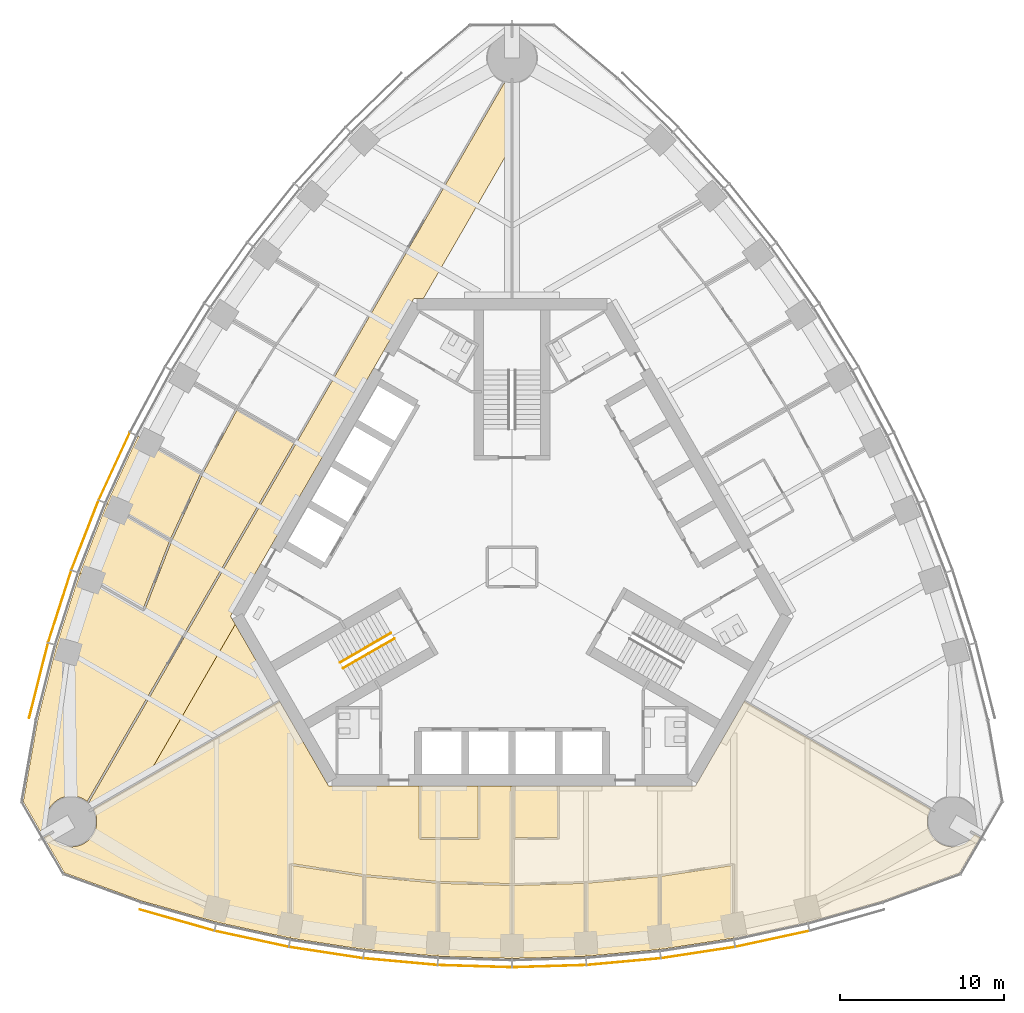
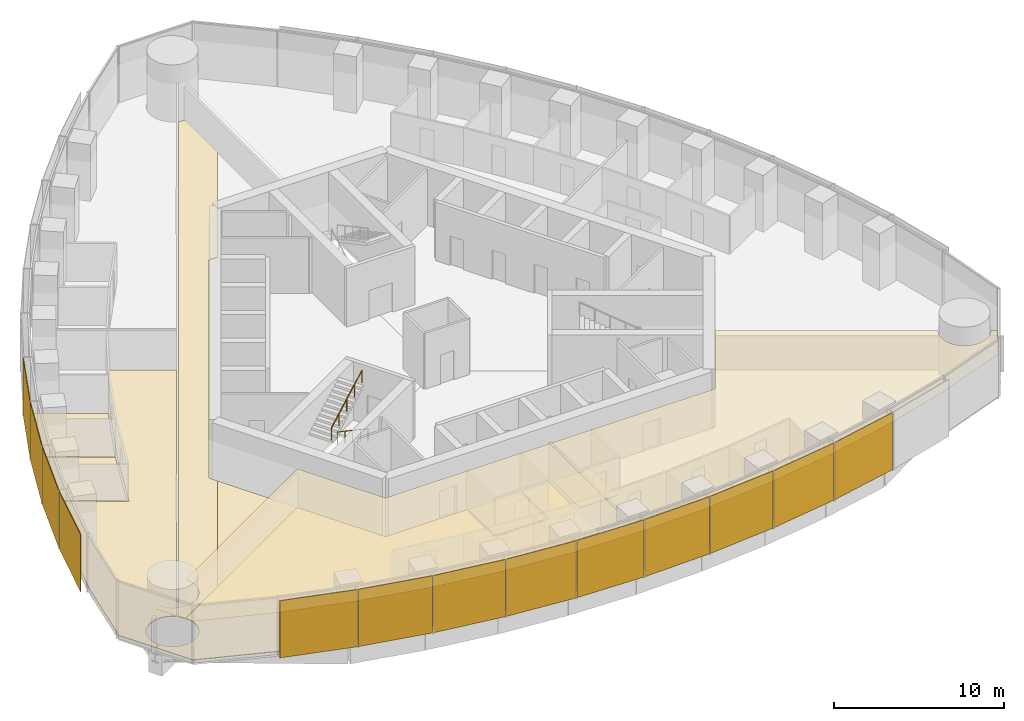
# One storey, part 12 of 16: 15 coverings, 13 shading devices, 2 railings.
"""IFC4 building model written with IfcOpenShell, lengths in metres."""

import ifcopenshell
import ifcopenshell.guid

model = None  # the IFC model being written
_history = None  # IfcOwnerHistory: only IFC2X3 demands one
_inside = {}  # id of a spatial element -> (the spatial element, [elements in it])
_under = {}  # id of a project, library or spatial element -> (it, [spatial elements below it])
_declared = {}  # id of a project -> (the project, [libraries it declares])
_typed = {}  # id of a type object -> (the type object, [elements of that type])
_made_of = {}  # id of a material, layer set ... -> (it, [elements and type objects made of it])


def new_model(schema):
    """Start an empty IFC model of exactly this schema.

    Asked for "IFC4X3", IfcOpenShell would pick the latest addendum, in which some entities
    have other attributes; the version numbers below select the first issue.
    IFC2X3 requires an IfcOwnerHistory on every rooted entity: one is made here for all.
    """
    global model, _history
    if schema == "IFC4X3":
        model = ifcopenshell.file(schema_version=(4, 3, 0, 0))
    else:
        model = ifcopenshell.file(schema=schema)
    _inside.clear()
    _under.clear()
    _declared.clear()
    _typed.clear()
    _made_of.clear()
    _history = None
    if model.schema == "IFC2X3":
        org = make("IfcOrganization", Name="unknown")
        user = make(
            "IfcPersonAndOrganization",
            ThePerson=make("IfcPerson", FamilyName="unknown"),
            TheOrganization=org,
        )
        app = make(
            "IfcApplication",
            ApplicationDeveloper=org,
            Version="unknown",
            ApplicationFullName="unknown",
            ApplicationIdentifier="unknown",
        )
        _history = make(
            "IfcOwnerHistory",
            OwningUser=user,
            OwningApplication=app,
            ChangeAction="ADDED",
            CreationDate=0,
        )
    return model


def make(cls, **values):
    """One entity of the class cls with the attributes given. An attribute that is None is left unset."""
    return model.create_entity(
        cls, **{name: value for name, value in values.items() if value is not None}
    )


def rooted(cls, **values):
    """An entity with a GlobalId (a new one), such as an element, a storey or a relation."""
    return make(cls, GlobalId=ifcopenshell.guid.new(), OwnerHistory=_history, **values)


def si_unit(unit_type, name, prefix=None):
    """IfcSIUnit, for example si_unit("LENGTHUNIT", "METRE", prefix="MILLI")."""
    return make("IfcSIUnit", UnitType=unit_type, Prefix=prefix, Name=name)


def assignment(units):
    """IfcUnitAssignment: the units of a project."""
    return None if units is None else make("IfcUnitAssignment", Units=units)


def point(xyz):
    """IfcCartesianPoint."""
    return None if xyz is None else make("IfcCartesianPoint", Coordinates=xyz)


def direction(xyz):
    """IfcDirection."""
    return None if xyz is None else make("IfcDirection", DirectionRatios=xyz)


def frame(location, z_axis=None, x_axis=None):
    """IfcAxis2Placement3D, a coordinate frame: its origin and axes. An axis left out is left unset."""
    return make(
        "IfcAxis2Placement3D",
        Location=point(location),
        Axis=direction(z_axis),
        RefDirection=direction(x_axis),
    )


def frame_2d(location, x_axis=None):
    """IfcAxis2Placement2D, a coordinate frame in the plane: its origin and x axis."""
    return make(
        "IfcAxis2Placement2D", Location=point(location), RefDirection=direction(x_axis)
    )


def origin():
    """The frame at (0, 0, 0) with its axes left unset."""
    return frame((0.0, 0.0, 0.0))


def origin_2d():
    """The frame at (0, 0) in the plane with its x axis left unset."""
    return frame_2d((0.0, 0.0))


def place(relative_to, where):
    """IfcLocalPlacement: puts the frame where relative to a parent placement (None: the world)."""
    return make(
        "IfcLocalPlacement", PlacementRelTo=relative_to, RelativePlacement=where
    )


def context(
    kind, dimensions, precision=None, world=None, true_north=None, identifier=None
):
    """IfcGeometricRepresentationContext, for example the 3D "Model" context."""
    return make(
        "IfcGeometricRepresentationContext",
        ContextIdentifier=identifier,
        ContextType=kind,
        CoordinateSpaceDimension=dimensions,
        Precision=precision,
        WorldCoordinateSystem=world,
        TrueNorth=true_north,
    )


def subcontext(parent, identifier, kind, view, scale=None):
    """IfcGeometricRepresentationSubContext, for example "Body" below "Model"."""
    return make(
        "IfcGeometricRepresentationSubContext",
        ContextIdentifier=identifier,
        ContextType=kind,
        ParentContext=parent,
        TargetScale=scale,
        TargetView=view,
    )


def project(units=None, contexts=None):
    """IfcProject with its units and contexts."""
    return rooted(
        "IfcProject",
        Name="project",
        RepresentationContexts=contexts,
        UnitsInContext=assignment(units),
    )


def spatial(cls, under=None, at=None, **own):
    """A site, building, storey or space (cls), placed at a placement, below another one or the project."""
    s = rooted(cls, ObjectPlacement=at, **own)
    if under is not None:
        _under.setdefault(under.id(), (under, []))[1].append(s)
    return s


def polyline(points):
    """IfcPolyline through the points."""
    return make("IfcPolyline", Points=[point(p) for p in points])


def profile(cls, at=None, kind="AREA", **sizes):
    """A parametric profile (cls). Its sizes go by their IFC names, for example OverallWidth=200.0."""
    return make(cls, ProfileType=kind, Position=at, **sizes)


def rectangle(**sizes):
    """IfcRectangleProfileDef."""
    return profile("IfcRectangleProfileDef", **sizes)


def circle(**sizes):
    """IfcCircleProfileDef."""
    return profile("IfcCircleProfileDef", **sizes)


def outline(outer, holes=None, kind="AREA"):
    """IfcArbitraryClosedProfileDef: a profile drawn as a closed curve; with holes, ...WithVoids."""
    if holes is None:
        return make("IfcArbitraryClosedProfileDef", ProfileType=kind, OuterCurve=outer)
    return make(
        "IfcArbitraryProfileDefWithVoids",
        ProfileType=kind,
        OuterCurve=outer,
        InnerCurves=holes,
    )


def extrude(swept, where, along, depth):
    """IfcExtrudedAreaSolid: the profile swept, set in the frame where, extruded along a direction by depth."""
    return make(
        "IfcExtrudedAreaSolid",
        SweptArea=swept,
        Position=where,
        ExtrudedDirection=direction(along),
        Depth=depth,
    )


def shape(context_of_items, identifier, shape_type, items):
    """IfcShapeRepresentation: the items that make up one representation, for example the "Body"."""
    return make(
        "IfcShapeRepresentation",
        ContextOfItems=context_of_items,
        RepresentationIdentifier=identifier,
        RepresentationType=shape_type,
        Items=items,
    )


def material(Name=None, Category=None):
    """IfcMaterial."""
    return make("IfcMaterial", Name=Name, Category=Category)


def layer(
    of_material, thickness, ventilated=None, Name=None, Category=None, Priority=None
):
    """IfcMaterialLayer: one layer of a wall or slab, of a material (None: an air gap)."""
    return make(
        "IfcMaterialLayer",
        Material=of_material,
        LayerThickness=thickness,
        IsVentilated=ventilated,
        Name=Name,
        Category=Category,
        Priority=Priority,
    )


def layer_set(layers, Name=None):
    """IfcMaterialLayerSet."""
    return make("IfcMaterialLayerSet", MaterialLayers=layers, LayerSetName=Name)


def made_of(thing, what):
    """Note that an element or type object is made of a material, layer set ...; save() writes the relation."""
    if what is not None:
        _made_of.setdefault(what.id(), (what, []))[1].append(thing)
    return thing


def type_object(cls, material=None, **own):
    """A type object (cls), such as IfcWallType, which elements share."""
    return made_of(rooted(cls, **own), material)


def element(
    cls,
    number,
    at=None,
    inside=None,
    cuts=None,
    type_object=None,
    material=None,
    context=None,
    identifier="Body",
    shape_type=None,
    held_by="IfcProductDefinitionShape",
    body=None,
    shapes=None,
    **own,
):
    """One element of the class cls, such as IfcWall. Its Tag is "e" and its number.

    at: its placement. inside: the storey or other place that contains it. cuts: it is an
    opening in that element (IfcRelVoidsElement). A single representation is given by context,
    identifier, shape_type and body (its items); several are given by shapes. held_by: the class
    of the entity that holds the representations. save() writes the other relations.
    """
    e = rooted(cls, Tag="e%d" % number, ObjectPlacement=at, **own)
    if body is not None:
        shapes = [shape(context, identifier, shape_type, body)]
    if shapes is not None:
        e.Representation = make(held_by, Representations=shapes)
    if inside is not None:
        _inside.setdefault(inside.id(), (inside, []))[1].append(e)
    if cuts is not None:
        rooted(
            "IfcRelVoidsElement", RelatingBuildingElement=cuts, RelatedOpeningElement=e
        )
    if type_object is not None:
        _typed.setdefault(type_object.id(), (type_object, []))[1].append(e)
    return made_of(e, material)


def aggregate(whole, parts):
    """IfcRelAggregates: a whole, such as a stair, and the parts it consists of."""
    return rooted("IfcRelAggregates", RelatingObject=whole, RelatedObjects=parts)


def save(model, path):
    """Write the relations noted so far, then the file.

    IfcRelAggregates (storeys below a building ...), IfcRelContainedInSpatialStructure (elements
    in a storey), IfcRelDefinesByType, IfcRelAssociatesMaterial and IfcRelDeclares: one each for
    every whole, place, type object, material and project.
    """
    for whole, parts in _under.values():
        aggregate(whole, parts)
    for where, things in _inside.values():
        rooted(
            "IfcRelContainedInSpatialStructure",
            RelatedElements=things,
            RelatingStructure=where,
        )
    for kind, things in _typed.values():
        rooted("IfcRelDefinesByType", RelatedObjects=things, RelatingType=kind)
    for what, things in _made_of.values():
        rooted("IfcRelAssociatesMaterial", RelatedObjects=things, RelatingMaterial=what)
    for by, libraries in _declared.values():
        rooted("IfcRelDeclares", RelatingContext=by, RelatedDefinitions=libraries)
    model.write(path)


model = new_model("IFC4")

# Units and contexts
model_context = context("Model", 3, precision=1e-05, world=origin(), true_north=direction((0.0, 1.0)))
body_context = subcontext(model_context, "Body", "Model", "MODEL_VIEW")
ifc_project = project(units=[si_unit("LENGTHUNIT", "METRE"), si_unit("AREAUNIT", "SQUARE_METRE"), si_unit("VOLUMEUNIT", "CUBIC_METRE"), si_unit("PLANEANGLEUNIT", "RADIAN"), si_unit("MASSUNIT", "GRAM", prefix="KILO")], contexts=[model_context])

# Site, building, storey
site_placement = place(None, origin())
site = spatial("IfcSite", under=ifc_project, at=site_placement, CompositionType="ELEMENT")
building_placement = place(site_placement, origin())
building = spatial("IfcBuilding", under=site, at=building_placement, Name="Trefoil Bronze Tower", CompositionType="ELEMENT")
storey_placement = place(building_placement, frame((0.0, 0.0, 284.699951171875)))
storey = spatial("IfcBuildingStorey", under=building, at=storey_placement, Name="L65", CompositionType="ELEMENT", Elevation=284.699951171875)

# Shading devices
ifc_material_1 = material(Name="Perforated bronze sheet", Category="bronze")
ifc_layer_1 = layer(ifc_material_1, 0.0400390625)
ifc_layer_set_1 = layer_set([ifc_layer_1], Name="Bronze solar screen panel")
shading_device_type = type_object("IfcShadingDeviceType", Name="Bronze solar screen panel", PredefinedType="SHUTTER", material=ifc_layer_set_1)
shading_device_1_placement = place(storey_placement, frame((-20.42138671875, -21.515625, 0.050048828125), z_axis=(0.0, 0.0, 1.0), x_axis=(0.962097746943, -0.272704831875, 0.0)))
element("IfcShadingDevice", 1, at=shading_device_1_placement, inside=storey, type_object=shading_device_type, Name="Solar screen CW-A L65 F1 bay 1", PredefinedType="SHUTTER", context=body_context, shape_type="SweptSolid", body=[
    extrude(rectangle(XDim=4.697509765625, YDim=0.0400390625, at=origin_2d()), origin(), (0.0, 0.0, 1.0), 4.10009765625),
])
shading_device_2_placement = place(storey_placement, frame((-15.864501953125, -22.65625, 0.050048828125), z_axis=(0.0, 0.0, 1.0), x_axis=(0.977303138829, -0.211845639168, 0.0)))
element("IfcShadingDevice", 2, at=shading_device_2_placement, inside=storey, type_object=shading_device_type, Name="Solar screen CW-A L65 F1 bay 2", PredefinedType="SHUTTER", context=body_context, shape_type="SweptSolid", body=[
    extrude(rectangle(XDim=4.574462890625, YDim=0.0400390625, at=origin_2d()), origin(), (0.0, 0.0, 1.0), 4.10009765625),
])
shading_device_3_placement = place(storey_placement, frame((-11.331787109375, -23.494384765625, 0.050048828125), z_axis=(0.0, 0.0, 1.0), x_axis=(0.988485337216, -0.151316681529, 0.0)))
element("IfcShadingDevice", 3, at=shading_device_3_placement, inside=storey, type_object=shading_device_type, Name="Solar screen CW-A L65 F1 bay 3", PredefinedType="SHUTTER", context=body_context, shape_type="SweptSolid", body=[
    extrude(rectangle(XDim=4.5224609375, YDim=0.0400390625, at=origin_2d()), origin(), (0.0, 0.0, 1.0), 4.10009765625),
])
shading_device_4_placement = place(storey_placement, frame((-6.799072265625, -24.048095703125, 0.050048828125), z_axis=(0.0, 0.0, 1.0), x_axis=(0.99587011625, -0.090789380212, 0.0)))
element("IfcShadingDevice", 4, at=shading_device_4_placement, inside=storey, type_object=shading_device_type, Name="Solar screen CW-A L65 F1 bay 4", PredefinedType="SHUTTER", context=body_context, shape_type="SweptSolid", body=[
    extrude(rectangle(XDim=4.48876953125, YDim=0.0400390625, at=origin_2d()), origin(), (0.0, 0.0, 1.0), 4.10009765625),
])
for number, where, z_axis, x_axis, name in (
    (5, (-2.266357421875, -24.3232421875, 0.050048828125), (0.0, 0.0, 1.0), (0.999541969785, -0.030263024264, 0.0), "Solar screen CW-A L65 F1 bay 5"),
    (6, (2.266357421875, -24.3232421875, 0.050048828125), (0.0, 0.0, 1.0), (0.999541969785, 0.030263024264, 0.0), "Solar screen CW-A L65 F1 bay 6"),
):
    element("IfcShadingDevice", number, at=place(storey_placement, frame(where, z_axis=z_axis, x_axis=x_axis)), inside=storey, type_object=shading_device_type, Name=name, PredefinedType="SHUTTER", context=body_context, shape_type="SweptSolid", body=[
        extrude(rectangle(XDim=4.47216796875, YDim=0.0400390625, at=origin_2d()), origin(), (0.0, 0.0, 1.0), 4.10009765625),
    ])
shading_device_5_placement = place(storey_placement, frame((6.799072265625, -24.048095703125, 0.050048828125), z_axis=(0.0, 0.0, 1.0), x_axis=(0.99587011625, 0.090789380212, 0.0)))
element("IfcShadingDevice", 7, at=shading_device_5_placement, inside=storey, type_object=shading_device_type, Name="Solar screen CW-A L65 F1 bay 7", PredefinedType="SHUTTER", context=body_context, shape_type="SweptSolid", body=[
    extrude(rectangle(XDim=4.48876953125, YDim=0.0400390625, at=origin_2d()), origin(), (0.0, 0.0, 1.0), 4.10009765625),
])
shading_device_6_placement = place(storey_placement, frame((11.331787109375, -23.494384765625, 0.050048828125), z_axis=(0.0, 0.0, 1.0), x_axis=(0.988485337216, 0.151316681529, 0.0)))
element("IfcShadingDevice", 8, at=shading_device_6_placement, inside=storey, type_object=shading_device_type, Name="Solar screen CW-A L65 F1 bay 8", PredefinedType="SHUTTER", context=body_context, shape_type="SweptSolid", body=[
    extrude(rectangle(XDim=4.5224609375, YDim=0.0400390625, at=origin_2d()), origin(), (0.0, 0.0, 1.0), 4.10009765625),
])
shading_device_7_placement = place(storey_placement, frame((15.864501953125, -22.65625, 0.050048828125), z_axis=(0.0, 0.0, 1.0), x_axis=(0.977303138829, 0.211845639168, 0.0)))
element("IfcShadingDevice", 9, at=shading_device_7_placement, inside=storey, type_object=shading_device_type, Name="Solar screen CW-A L65 F1 bay 9", PredefinedType="SHUTTER", context=body_context, shape_type="SweptSolid", body=[
    extrude(rectangle(XDim=4.574462890625, YDim=0.0400390625, at=origin_2d()), origin(), (0.0, 0.0, 1.0), 4.10009765625),
])
shading_device_8_placement = place(storey_placement, frame((-24.2255859375, 6.135986328125, 0.050048828125), z_axis=(0.0, 0.0, 1.0), x_axis=(-0.419309148468, -0.907843509649, 0.0)))
element("IfcShadingDevice", 10, at=shading_device_8_placement, inside=storey, type_object=shading_device_type, Name="Solar screen CW-A L65 F3 bay 7", PredefinedType="SHUTTER", context=body_context, shape_type="SweptSolid", body=[
    extrude(rectangle(XDim=4.48876953125, YDim=0.0400390625, at=origin_2d()), origin(), (0.0, 0.0, 1.0), 4.10009765625),
])
shading_device_9_placement = place(storey_placement, frame((-26.0126953125, 1.93359375, 0.050048828125), z_axis=(0.0, 0.0, 1.0), x_axis=(-0.363198578387, -0.931711754062, 0.0)))
element("IfcShadingDevice", 11, at=shading_device_9_placement, inside=storey, type_object=shading_device_type, Name="Solar screen CW-A L65 F3 bay 8", PredefinedType="SHUTTER", context=body_context, shape_type="SweptSolid", body=[
    extrude(rectangle(XDim=4.5224609375, YDim=0.0400390625, at=origin_2d()), origin(), (0.0, 0.0, 1.0), 4.10009765625),
])
shading_device_10_placement = place(storey_placement, frame((-27.55322265625, -2.410888671875, 0.050048828125), z_axis=(0.0, 0.0, 1.0), x_axis=(-0.305187864214, -0.952292165009, 0.0)))
element("IfcShadingDevice", 12, at=shading_device_10_placement, inside=storey, type_object=shading_device_type, Name="Solar screen CW-A L65 F3 bay 9", PredefinedType="SHUTTER", context=body_context, shape_type="SweptSolid", body=[
    extrude(rectangle(XDim=4.574462890625, YDim=0.0400390625, at=origin_2d()), origin(), (0.0, 0.0, 1.0), 4.10009765625),
])
shading_device_11_placement = place(storey_placement, frame((-28.843994140625, -6.927490234375, 0.050048828125), z_axis=(0.0, 0.0, 1.0), x_axis=(-0.244879561333, -0.969553505713, 0.0)))
element("IfcShadingDevice", 13, at=shading_device_11_placement, inside=storey, type_object=shading_device_type, Name="Solar screen CW-A L65 F3 bay 10", PredefinedType="SHUTTER", context=body_context, shape_type="SweptSolid", body=[
    extrude(rectangle(XDim=4.697509765625, YDim=0.0400390625, at=origin_2d()), origin(), (0.0, 0.0, 1.0), 4.10009765625),
])

# Railings
ifc_material_2 = material(Name="Steel handrail", Category="steel")
railing_type = type_object("IfcRailingType", Name="Handrail 900", PredefinedType="HANDRAIL", material=ifc_material_2)
railing_1_placement = place(storey_placement, frame((-7.166015625, -4.3681640625, 0.16162109375)))
element("IfcRailing", 14, at=railing_1_placement, inside=storey, type_object=railing_type, Name="Handrail ST3 flight 1 L65", PredefinedType="HANDRAIL", context=body_context, shape_type="SweptSolid", body=[
    extrude(circle(Radius=0.02392578125, at=origin_2d()), frame((0.0, 0.0, 0.8759765625), z_axis=(-0.76250339821, -0.440245697338, 0.474101564745), x_axis=(0.500012057535, -0.866018442252, 0.0)), (0.0, 0.0, 1.0), 4.088623046875),
    extrude(circle(Radius=0.02099609375, at=origin_2d()), origin(), (0.0, 0.0, 1.0), 0.851806640625),
    extrude(circle(Radius=0.02099609375, at=origin_2d()), frame((-0.779296875, -0.449951171875, 0.484619140625)), (0.0, 0.0, 1.0), 0.851806640625),
    extrude(circle(Radius=0.02099609375, at=origin_2d()), frame((-1.558837890625, -0.89990234375, 0.96923828125)), (0.0, 0.0, 1.0), 0.851806640625),
    extrude(circle(Radius=0.02099609375, at=origin_2d()), frame((-2.33837890625, -1.35009765625, 1.453857421875)), (0.0, 0.0, 1.0), 0.851806640625),
    extrude(circle(Radius=0.02099609375, at=origin_2d()), frame((-3.11767578125, -1.800048828125, 1.9384765625)), (0.0, 0.0, 1.0), 0.851806640625),
])
railing_2_placement = place(storey_placement, frame((-10.483642578125, -5.82177734375, 2.261474609375)))
element("IfcRailing", 15, at=railing_2_placement, inside=storey, type_object=railing_type, Name="Handrail ST3 flight 2 L65", PredefinedType="HANDRAIL", context=body_context, shape_type="SweptSolid", body=[
    extrude(circle(Radius=0.02392578125, at=origin_2d()), frame((0.0, 0.0, 0.8759765625), z_axis=(0.76250339821, 0.440245697338, 0.474101564745), x_axis=(-0.500012057535, 0.866018442252, 0.0)), (0.0, 0.0, 1.0), 4.088623046875),
    extrude(circle(Radius=0.02099609375, at=origin_2d()), origin(), (0.0, 0.0, 1.0), 0.851806640625),
    extrude(circle(Radius=0.02099609375, at=origin_2d()), frame((0.779296875, 0.449951171875, 0.484619140625)), (0.0, 0.0, 1.0), 0.851806640625),
    extrude(circle(Radius=0.02099609375, at=origin_2d()), frame((1.558837890625, 0.89990234375, 0.96923828125)), (0.0, 0.0, 1.0), 0.851806640625),
    extrude(circle(Radius=0.02099609375, at=origin_2d()), frame((2.33837890625, 1.35009765625, 1.453857421875)), (0.0, 0.0, 1.0), 0.851806640625),
    extrude(circle(Radius=0.02099609375, at=origin_2d()), frame((3.11767578125, 1.800048828125, 1.9384765625)), (0.0, 0.0, 1.0), 0.851806640625),
])

# Coverings
ifc_material_3 = material(Name="Acoustic ceiling panels", Category="mineral fibre")
ifc_layer_2 = layer(ifc_material_3, 0.02001953125)
ifc_layer_set_2 = layer_set([ifc_layer_2], Name="Office ceiling 20")
covering_type_1 = type_object("IfcCoveringType", Name="Office ceiling 20", PredefinedType="CEILING", material=ifc_layer_set_2)
covering_1_placement = place(storey_placement, frame((0.0, 0.0, 2.900146484375)))
element("IfcCovering", 16, at=covering_1_placement, inside=storey, type_object=covering_type_1, Name="Ceiling L65 Open support area F1", PredefinedType="CEILING", context=body_context, shape_type="SweptSolid", body=[
    extrude(outline(polyline([(-28.135498046875, -16.361083984375), (-28.091796875, -16.42333984375), (-28.044921875, -16.4833984375), (-27.995361328125, -16.541015625), (-27.94287109375, -16.595947265625), (-27.8876953125, -16.6484375), (-27.830078125, -16.6982421875), (-27.77001953125, -16.7451171875), (-27.7080078125, -16.788818359375), (-27.6435546875, -16.82958984375), (-27.577392578125, -16.866943359375), (-27.509521484375, -16.901123046875), (-27.43994140625, -16.931884765625), (-27.368896484375, -16.95947265625), (-27.296630859375, -16.9833984375), (-27.223388671875, -17.00341796875), (-27.149169921875, -17.020263671875), (-27.07421875, -17.033203125), (-26.998779296875, -17.04248046875), (-26.9228515625, -17.048095703125), (-26.8466796875, -17.050048828125), (-26.770751953125, -17.048095703125), (-26.69482421875, -17.04248046875), (-26.619384765625, -17.033203125), (-26.54443359375, -17.020263671875), (-26.47021484375, -17.00341796875), (-26.396728515625, -16.9833984375), (-26.32470703125, -16.95947265625), (-26.253662109375, -16.931884765625), (-26.18408203125, -16.901123046875), (-26.1162109375, -16.866943359375), (-26.0498046875, -16.82958984375), (-25.985595703125, -16.788818359375), (-25.923583984375, -16.7451171875), (-25.863525390625, -16.6982421875), (-25.805908203125, -16.6484375), (-25.750732421875, -16.595947265625), (-25.6982421875, -16.541015625), (-25.648681640625, -16.4833984375), (-25.601806640625, -16.42333984375), (-25.55810546875, -16.361083984375), (-25.517333984375, -16.296875), (-25.479736328125, -16.230712890625), (-25.445556640625, -16.16259765625), (-25.414794921875, -16.09326171875), (-25.387451171875, -16.022216796875), (-25.363525390625, -15.949951171875), (-25.34326171875, -15.876708984375), (-25.32666015625, -15.802490234375), (-25.313720703125, -15.727294921875), (-25.30419921875, -15.65185546875), (-25.298583984375, -15.576171875), (-25.296875, -15.5), (-25.298583984375, -15.423828125), (-25.30419921875, -15.34814453125), (-25.313720703125, -15.272705078125), (-25.32666015625, -15.197509765625), (-25.34326171875, -15.123291015625), (-25.363525390625, -15.050048828125), (-25.387451171875, -14.977783203125), (-25.414794921875, -14.90673828125), (-25.445556640625, -14.83740234375), (-25.479736328125, -14.769287109375), (-25.49951171875, -14.73486328125), (-14.156494140625, -8.180419921875), (-11.171630859375, -13.35009765625), (11.171630859375, -13.35009765625), (14.156494140625, -8.180419921875), (25.49951171875, -14.73486328125), (25.479736328125, -14.769287109375), (25.445556640625, -14.83740234375), (25.414794921875, -14.90673828125), (25.387451171875, -14.977783203125), (25.363525390625, -15.050048828125), (25.34326171875, -15.123291015625), (25.32666015625, -15.197509765625), (25.313720703125, -15.272705078125), (25.30419921875, -15.34814453125), (25.298583984375, -15.423828125), (25.296875, -15.5), (25.298583984375, -15.576171875), (25.30419921875, -15.65185546875), (25.313720703125, -15.727294921875), (25.32666015625, -15.802490234375), (25.34326171875, -15.876708984375), (25.363525390625, -15.949951171875), (25.387451171875, -16.022216796875), (25.414794921875, -16.09326171875), (25.445556640625, -16.16259765625), (25.479736328125, -16.230712890625), (25.517333984375, -16.296875), (25.55810546875, -16.361083984375), (25.601806640625, -16.42333984375), (25.648681640625, -16.4833984375), (25.6982421875, -16.541015625), (25.750732421875, -16.595947265625), (25.805908203125, -16.6484375), (25.863525390625, -16.6982421875), (25.923583984375, -16.7451171875), (25.985595703125, -16.788818359375), (26.0498046875, -16.82958984375), (26.1162109375, -16.866943359375), (26.18408203125, -16.901123046875), (26.253662109375, -16.931884765625), (26.32470703125, -16.95947265625), (26.396728515625, -16.9833984375), (26.47021484375, -17.00341796875), (26.54443359375, -17.020263671875), (26.619384765625, -17.033203125), (26.69482421875, -17.04248046875), (26.770751953125, -17.048095703125), (26.8466796875, -17.050048828125), (26.9228515625, -17.048095703125), (26.998779296875, -17.04248046875), (27.07421875, -17.033203125), (27.149169921875, -17.020263671875), (27.223388671875, -17.00341796875), (27.296630859375, -16.9833984375), (27.368896484375, -16.95947265625), (27.43994140625, -16.931884765625), (27.509521484375, -16.901123046875), (27.577392578125, -16.866943359375), (27.6435546875, -16.82958984375), (27.7080078125, -16.788818359375), (27.77001953125, -16.7451171875), (27.830078125, -16.6982421875), (27.8876953125, -16.6484375), (27.94287109375, -16.595947265625), (27.995361328125, -16.541015625), (28.044921875, -16.4833984375), (28.091796875, -16.42333984375), (28.135498046875, -16.361083984375), (28.182861328125, -16.285400390625), (28.510009765625, -16.474609375), (27.26220703125, -18.635986328125), (22.54833984375, -20.3515625), (18.0, -21.640869140625), (13.5, -22.6162109375), (9.0, -23.30517578125), (4.5, -23.71533203125), (0.0, -23.8515625), (-4.5, -23.71533203125), (-9.0, -23.30517578125), (-13.5, -22.6162109375), (-18.0, -21.640869140625), (-22.54833984375, -20.3515625), (-27.26220703125, -18.635986328125), (-28.510009765625, -16.474609375), (-28.182861328125, -16.285400390625), (-28.135498046875, -16.361083984375)])), origin(), (0.0, 0.0, 1.0), 0.02001953125),
])
ifc_material_4 = material(Name="Raised access floor panels", Category="steel")
ifc_layer_3 = layer(ifc_material_4, 0.050048828125)
ifc_layer_set_3 = layer_set([ifc_layer_3], Name="Raised access floor 150")
covering_type_2 = type_object("IfcCoveringType", Name="Raised access floor 150", PredefinedType="FLOORING", material=ifc_layer_set_3)
covering_2_placement = place(storey_placement, frame((0.0, 0.0, 0.10009765625)))
element("IfcCovering", 17, at=covering_2_placement, inside=storey, type_object=covering_type_2, Name="Raised floor L65 Meeting room F1", PredefinedType="FLOORING", context=body_context, shape_type="SweptSolid", body=[
    extrude(outline(polyline([(-2.06005859375, -13.35009765625), (-2.06005859375, -16.489990234375), (-5.5400390625, -16.489990234375), (-5.5400390625, -13.35009765625), (-2.06005859375, -13.35009765625)])), origin(), (0.0, 0.0, 1.0), 0.050048828125),
])
covering_3_placement = place(storey_placement, frame((0.0, 0.0, 0.10009765625)))
element("IfcCovering", 18, at=covering_3_placement, inside=storey, type_object=covering_type_2, Name="Raised floor L65 Pantry F1", PredefinedType="FLOORING", context=body_context, shape_type="SweptSolid", body=[
    extrude(outline(polyline([(2.764892578125, -13.35009765625), (2.764892578125, -16.489990234375), (0.18505859375, -16.489990234375), (0.18505859375, -13.35009765625), (2.764892578125, -13.35009765625)])), origin(), (0.0, 0.0, 1.0), 0.050048828125),
])
covering_4_placement = place(storey_placement, frame((0.0, 0.0, 0.10009765625)))
element("IfcCovering", 19, at=covering_4_placement, inside=storey, type_object=covering_type_2, Name="Raised floor L65 Office F1", PredefinedType="FLOORING", context=body_context, shape_type="SweptSolid", body=[
    extrude(outline(polyline([(-9.0, -23.30517578125), (-13.5, -22.6162109375), (-13.5, -21.060546875), (-13.43994140625, -21.060546875), (-13.43994140625, -18.18603515625), (-9.06005859375, -18.856689453125), (-9.06005859375, -21.763916015625), (-9.0, -21.763916015625), (-9.0, -23.30517578125)])), origin(), (0.0, 0.0, 1.0), 0.050048828125),
])
covering_5_placement = place(storey_placement, frame((0.0, 0.0, 0.10009765625)))
element("IfcCovering", 20, at=covering_5_placement, inside=storey, type_object=covering_type_2, Name="Raised floor L65 Office F1", PredefinedType="FLOORING", context=body_context, shape_type="SweptSolid", body=[
    extrude(outline(polyline([(-4.5, -23.71533203125), (-9.0, -23.30517578125), (-9.0, -21.763916015625), (-8.93994140625, -21.763916015625), (-8.93994140625, -18.870849609375), (-4.56005859375, -19.27001953125), (-4.56005859375, -22.1826171875), (-4.5, -22.1826171875), (-4.5, -23.71533203125)])), origin(), (0.0, 0.0, 1.0), 0.050048828125),
])
covering_6_placement = place(storey_placement, frame((0.0, 0.0, 0.10009765625)))
element("IfcCovering", 21, at=covering_6_placement, inside=storey, type_object=covering_type_2, Name="Raised floor L65 Office F1", PredefinedType="FLOORING", context=body_context, shape_type="SweptSolid", body=[
    extrude(outline(polyline([(0.0, -23.8515625), (-4.5, -23.71533203125), (-4.5, -22.1826171875), (-4.43994140625, -22.1826171875), (-4.43994140625, -19.277099609375), (-0.074951171875, -19.409423828125), (-0.074951171875, -22.321533203125), (0.0, -22.321533203125), (0.0, -23.8515625)])), origin(), (0.0, 0.0, 1.0), 0.050048828125),
])
covering_7_placement = place(storey_placement, frame((0.0, 0.0, 0.10009765625)))
element("IfcCovering", 22, at=covering_7_placement, inside=storey, type_object=covering_type_2, Name="Raised floor L65 Office F1", PredefinedType="FLOORING", context=body_context, shape_type="SweptSolid", body=[
    extrude(outline(polyline([(4.5, -23.71533203125), (0.0, -23.8515625), (0.0, -22.321533203125), (0.074951171875, -22.321533203125), (0.074951171875, -19.409423828125), (4.43994140625, -19.277099609375), (4.43994140625, -22.1826171875), (4.5, -22.1826171875), (4.5, -23.71533203125)])), origin(), (0.0, 0.0, 1.0), 0.050048828125),
])
covering_8_placement = place(storey_placement, frame((0.0, 0.0, 0.10009765625)))
element("IfcCovering", 23, at=covering_8_placement, inside=storey, type_object=covering_type_2, Name="Raised floor L65 Office F1", PredefinedType="FLOORING", context=body_context, shape_type="SweptSolid", body=[
    extrude(outline(polyline([(9.0, -23.30517578125), (4.5, -23.71533203125), (4.5, -22.1826171875), (4.56005859375, -22.1826171875), (4.56005859375, -19.27001953125), (8.93994140625, -18.870849609375), (8.93994140625, -21.763916015625), (9.0, -21.763916015625), (9.0, -23.30517578125)])), origin(), (0.0, 0.0, 1.0), 0.050048828125),
])
covering_9_placement = place(storey_placement, frame((0.0, 0.0, 0.10009765625)))
element("IfcCovering", 24, at=covering_9_placement, inside=storey, type_object=covering_type_2, Name="Raised floor L65 Office F1", PredefinedType="FLOORING", context=body_context, shape_type="SweptSolid", body=[
    extrude(outline(polyline([(13.5, -22.6162109375), (9.0, -23.30517578125), (9.0, -21.763916015625), (9.06005859375, -21.763916015625), (9.06005859375, -18.856689453125), (13.43994140625, -18.18603515625), (13.43994140625, -21.060546875), (13.5, -21.060546875), (13.5, -22.6162109375)])), origin(), (0.0, 0.0, 1.0), 0.050048828125),
])
covering_10_placement = place(storey_placement, frame((0.0, 0.0, 0.10009765625)))
element("IfcCovering", 25, at=covering_10_placement, inside=storey, type_object=covering_type_2, Name="Raised floor L65 Open support area F1", PredefinedType="FLOORING", context=body_context, shape_type="SweptSolid", body=[
    extrude(outline(polyline([(-25.49951171875, -14.73486328125), (-14.156494140625, -8.180419921875), (-11.171630859375, -13.35009765625), (-5.659912109375, -13.35009765625), (-5.659912109375, -16.550048828125), (-5.60009765625, -16.550048828125), (-5.60009765625, -16.610107421875), (-2.0, -16.610107421875), (-2.0, -16.550048828125), (-1.93994140625, -16.550048828125), (-1.93994140625, -13.35009765625), (-0.0009765625, -13.35009765625), (-0.0009765625, -13.360107421875), (-0.074951171875, -13.360107421875), (-0.074951171875, -19.289306640625), (-4.496337890625, -19.155517578125), (-8.99267578125, -18.74560546875), (-13.490966796875, -18.056884765625), (-13.5, -18.1162109375), (-13.56005859375, -18.1162109375), (-13.56005859375, -21.060546875), (-13.5, -21.060546875), (-13.5, -22.6162109375), (-18.0, -21.640869140625), (-22.54833984375, -20.3515625), (-27.26220703125, -18.635986328125), (-28.510009765625, -16.474609375), (-28.182861328125, -16.285400390625), (-28.135498046875, -16.361083984375), (-28.091796875, -16.42333984375), (-28.044921875, -16.4833984375), (-27.995361328125, -16.541015625), (-27.94287109375, -16.595947265625), (-27.8876953125, -16.6484375), (-27.830078125, -16.6982421875), (-27.77001953125, -16.7451171875), (-27.7080078125, -16.788818359375), (-27.6435546875, -16.82958984375), (-27.577392578125, -16.866943359375), (-27.509521484375, -16.901123046875), (-27.43994140625, -16.931884765625), (-27.368896484375, -16.95947265625), (-27.296630859375, -16.9833984375), (-27.223388671875, -17.00341796875), (-27.149169921875, -17.020263671875), (-27.07421875, -17.033203125), (-26.998779296875, -17.04248046875), (-26.9228515625, -17.048095703125), (-26.8466796875, -17.050048828125), (-26.770751953125, -17.048095703125), (-26.69482421875, -17.04248046875), (-26.619384765625, -17.033203125), (-26.54443359375, -17.020263671875), (-26.47021484375, -17.00341796875), (-26.396728515625, -16.9833984375), (-26.32470703125, -16.95947265625), (-26.253662109375, -16.931884765625), (-26.18408203125, -16.901123046875), (-26.1162109375, -16.866943359375), (-26.0498046875, -16.82958984375), (-25.985595703125, -16.788818359375), (-25.923583984375, -16.7451171875), (-25.863525390625, -16.6982421875), (-25.805908203125, -16.6484375), (-25.750732421875, -16.595947265625), (-25.6982421875, -16.541015625), (-25.648681640625, -16.4833984375), (-25.601806640625, -16.42333984375), (-25.55810546875, -16.361083984375), (-25.517333984375, -16.296875), (-25.479736328125, -16.230712890625), (-25.445556640625, -16.16259765625), (-25.414794921875, -16.09326171875), (-25.387451171875, -16.022216796875), (-25.363525390625, -15.949951171875), (-25.34326171875, -15.876708984375), (-25.32666015625, -15.802490234375), (-25.313720703125, -15.727294921875), (-25.30419921875, -15.65185546875), (-25.298583984375, -15.576171875), (-25.296875, -15.5), (-25.298583984375, -15.423828125), (-25.30419921875, -15.34814453125), (-25.313720703125, -15.272705078125), (-25.32666015625, -15.197509765625), (-25.34326171875, -15.123291015625), (-25.363525390625, -15.050048828125), (-25.387451171875, -14.977783203125), (-25.414794921875, -14.90673828125), (-25.445556640625, -14.83740234375), (-25.479736328125, -14.769287109375), (-25.49951171875, -14.73486328125)])), origin(), (0.0, 0.0, 1.0), 0.050048828125),
])
covering_11_placement = place(storey_placement, frame((0.0, 0.0, 0.10009765625)))
element("IfcCovering", 26, at=covering_11_placement, inside=storey, type_object=covering_type_2, Name="Raised floor L65 Office F3", PredefinedType="FLOORING", context=body_context, shape_type="SweptSolid", body=[
    extrude(outline(polyline([(-24.682861328125, 3.8583984375), (-22.7880859375, 7.960693359375), (-21.460693359375, 7.194091796875), (-21.49072265625, 7.14208984375), (-18.968505859375, 5.68603515625), (-20.8125, 1.693115234375), (-23.318115234375, 3.1396484375), (-23.347900390625, 3.087646484375), (-24.682861328125, 3.8583984375)])), origin(), (0.0, 0.0, 1.0), 0.050048828125),
])
covering_12_placement = place(storey_placement, frame((0.0, 0.0, 0.10009765625)))
element("IfcCovering", 27, at=covering_12_placement, inside=storey, type_object=covering_type_2, Name="Raised floor L65 Office F3", PredefinedType="FLOORING", context=body_context, shape_type="SweptSolid", body=[
    extrude(outline(polyline([(-24.682861328125, 3.8583984375), (-23.347900390625, 3.087646484375), (-23.3779296875, 3.03564453125), (-20.8603515625, 1.58203125), (-22.4697265625, -2.54638671875), (-24.958984375, -1.109130859375), (-24.989013671875, -1.1611328125), (-26.336181640625, -0.38330078125), (-24.682861328125, 3.8583984375)])), origin(), (0.0, 0.0, 1.0), 0.050048828125),
])
covering_13_placement = place(storey_placement, frame((0.0, 0.0, 0.10009765625)))
element("IfcCovering", 28, at=covering_13_placement, inside=storey, type_object=covering_type_2, Name="Raised floor L65 Corridor F3", PredefinedType="FLOORING", context=body_context, shape_type="SweptSolid", body=[
    extrude(outline(polyline([(-0.010986328125, 29.4501953125), (-0.009521484375, 25.683349609375), (-5.398193359375, 16.35009765625), (-5.9755859375, 16.35009765625), (-17.147216796875, -3.0), (-16.858642578125, -3.5), (-22.247314453125, -12.833251953125), (-25.51025390625, -14.715576171875), (-25.55810546875, -14.638916015625), (-25.601806640625, -14.57666015625), (-25.648681640625, -14.5166015625), (-25.6982421875, -14.458984375), (-25.750732421875, -14.404052734375), (-25.788818359375, -14.36767578125), (-0.451904296875, 29.517333984375), (-0.376708984375, 29.49658203125), (-0.302490234375, 29.479736328125), (-0.227294921875, 29.466796875), (-0.15185546875, 29.45751953125), (-0.076171875, 29.451904296875), (-0.010986328125, 29.4501953125)])), origin(), (0.0, 0.0, 1.0), 0.050048828125),
])
covering_14_placement = place(storey_placement, frame((0.0, 0.0, 0.10009765625)))
element("IfcCovering", 29, at=covering_14_placement, inside=storey, type_object=covering_type_2, Name="Raised floor L65 Open support area F3", PredefinedType="FLOORING", context=body_context, shape_type="SweptSolid", body=[
    extrude(outline(polyline([(-24.989013671875, -1.1611328125), (-25.01904296875, -1.212890625), (-22.468994140625, -2.685302734375), (-22.439208984375, -2.63330078125), (-22.38330078125, -2.655029296875), (-20.73046875, 1.584716796875), (-18.83740234375, 5.683837890625), (-16.742431640625, 9.57958984375), (-13.26171875, 7.570068359375), (-25.88134765625, -14.287841796875), (-25.923583984375, -14.2548828125), (-25.985595703125, -14.211181640625), (-26.0498046875, -14.17041015625), (-26.1162109375, -14.133056640625), (-26.18408203125, -14.098876953125), (-26.253662109375, -14.068115234375), (-26.32470703125, -14.04052734375), (-26.396728515625, -14.0166015625), (-26.47021484375, -13.99658203125), (-26.54443359375, -13.979736328125), (-26.619384765625, -13.966796875), (-26.69482421875, -13.95751953125), (-26.770751953125, -13.951904296875), (-26.8466796875, -13.949951171875), (-26.9228515625, -13.951904296875), (-26.998779296875, -13.95751953125), (-27.07421875, -13.966796875), (-27.149169921875, -13.979736328125), (-27.223388671875, -13.99658203125), (-27.296630859375, -14.0166015625), (-27.368896484375, -14.04052734375), (-27.43994140625, -14.068115234375), (-27.509521484375, -14.098876953125), (-27.577392578125, -14.133056640625), (-27.6435546875, -14.17041015625), (-27.7080078125, -14.211181640625), (-27.77001953125, -14.2548828125), (-27.830078125, -14.3017578125), (-27.8876953125, -14.3515625), (-27.94287109375, -14.404052734375), (-27.995361328125, -14.458984375), (-28.044921875, -14.5166015625), (-28.091796875, -14.57666015625), (-28.135498046875, -14.638916015625), (-28.17626953125, -14.703125), (-28.2138671875, -14.769287109375), (-28.248046875, -14.83740234375), (-28.27880859375, -14.90673828125), (-28.30615234375, -14.977783203125), (-28.330078125, -15.050048828125), (-28.350341796875, -15.123291015625), (-28.366943359375, -15.197509765625), (-28.3798828125, -15.272705078125), (-28.389404296875, -15.34814453125), (-28.39501953125, -15.423828125), (-28.396728515625, -15.5), (-28.39501953125, -15.576171875), (-28.389404296875, -15.65185546875), (-28.3798828125, -15.727294921875), (-28.366943359375, -15.802490234375), (-28.350341796875, -15.876708984375), (-28.330078125, -15.949951171875), (-28.30615234375, -16.022216796875), (-28.27880859375, -16.09326171875), (-28.248046875, -16.16259765625), (-28.2138671875, -16.230712890625), (-28.19482421875, -16.26416015625), (-28.522216796875, -16.453125), (-29.770263671875, -14.291748046875), (-28.899169921875, -9.3515625), (-27.741455078125, -4.76806640625), (-26.336181640625, -0.38330078125), (-24.989013671875, -1.1611328125)])), origin(), (0.0, 0.0, 1.0), 0.050048828125),
])
covering_15_placement = place(storey_placement, frame((0.0, 0.0, 0.10009765625)))
element("IfcCovering", 30, at=covering_15_placement, inside=storey, type_object=covering_type_2, Name="Raised floor L65 Open support area F3", PredefinedType="FLOORING", context=body_context, shape_type="SweptSolid", body=[
    extrude(outline(polyline([(-14.16259765625, -8.169677734375), (-22.247314453125, -12.833251953125), (-16.858642578125, -3.5), (-14.16259765625, -8.169677734375)])), origin(), (0.0, 0.0, 1.0), 0.050048828125),
])

save(model, "model.ifc")
